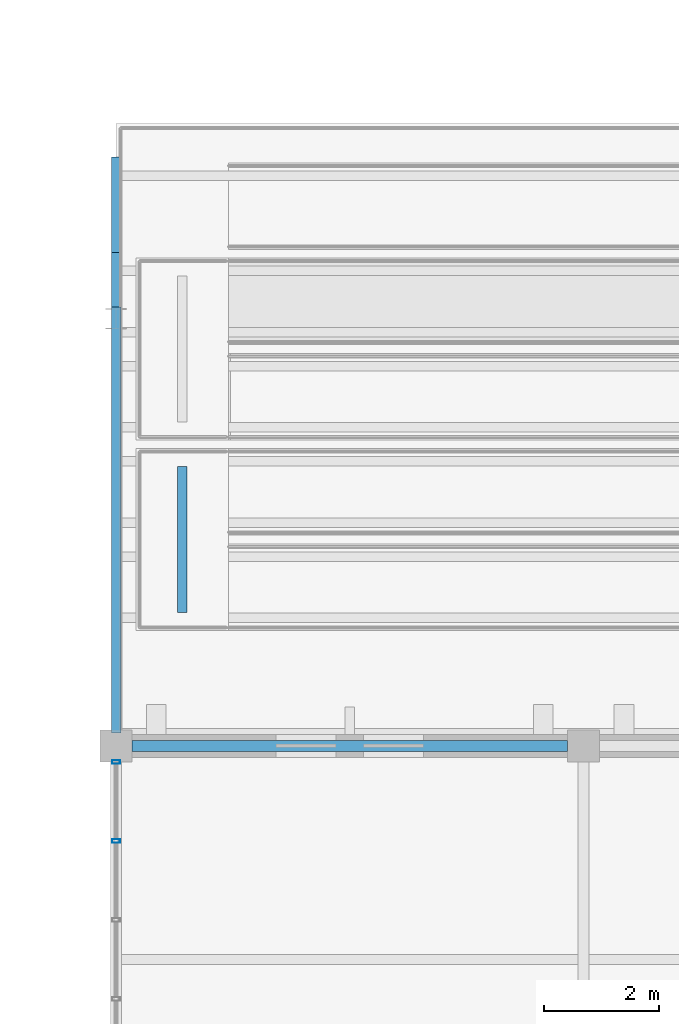
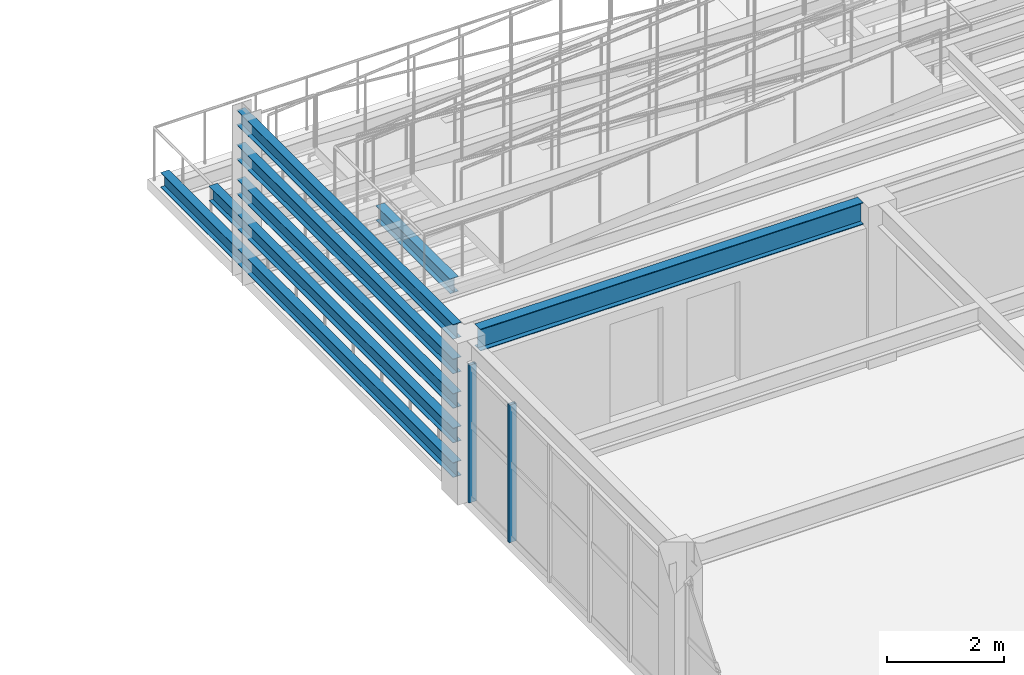
# One storey, part 89 of 121: 7 beams, 2 members, 1 element without a shape of its own.
"""IFC4 building model written with IfcOpenShell, lengths in metres."""

import ifcopenshell
import ifcopenshell.guid

model = None  # the IFC model being written
_history = None  # IfcOwnerHistory: only IFC2X3 demands one
_inside = {}  # id of a spatial element -> (the spatial element, [elements in it])
_under = {}  # id of a project, library or spatial element -> (it, [spatial elements below it])
_declared = {}  # id of a project -> (the project, [libraries it declares])
_typed = {}  # id of a type object -> (the type object, [elements of that type])
_made_of = {}  # id of a material, layer set ... -> (it, [elements and type objects made of it])


def new_model(schema):
    """Start an empty IFC model of exactly this schema.

    Asked for "IFC4X3", IfcOpenShell would pick the latest addendum, in which some entities
    have other attributes; the version numbers below select the first issue.
    IFC2X3 requires an IfcOwnerHistory on every rooted entity: one is made here for all.
    """
    global model, _history
    if schema == "IFC4X3":
        model = ifcopenshell.file(schema_version=(4, 3, 0, 0))
    else:
        model = ifcopenshell.file(schema=schema)
    _inside.clear()
    _under.clear()
    _declared.clear()
    _typed.clear()
    _made_of.clear()
    _history = None
    if model.schema == "IFC2X3":
        org = make("IfcOrganization", Name="unknown")
        user = make(
            "IfcPersonAndOrganization",
            ThePerson=make("IfcPerson", FamilyName="unknown"),
            TheOrganization=org,
        )
        app = make(
            "IfcApplication",
            ApplicationDeveloper=org,
            Version="unknown",
            ApplicationFullName="unknown",
            ApplicationIdentifier="unknown",
        )
        _history = make(
            "IfcOwnerHistory",
            OwningUser=user,
            OwningApplication=app,
            ChangeAction="ADDED",
            CreationDate=0,
        )
    return model


def make(cls, **values):
    """One entity of the class cls with the attributes given. An attribute that is None is left unset."""
    return model.create_entity(
        cls, **{name: value for name, value in values.items() if value is not None}
    )


def rooted(cls, **values):
    """An entity with a GlobalId (a new one), such as an element, a storey or a relation."""
    return make(cls, GlobalId=ifcopenshell.guid.new(), OwnerHistory=_history, **values)


def si_unit(unit_type, name, prefix=None):
    """IfcSIUnit, for example si_unit("LENGTHUNIT", "METRE", prefix="MILLI")."""
    return make("IfcSIUnit", UnitType=unit_type, Prefix=prefix, Name=name)


def assignment(units):
    """IfcUnitAssignment: the units of a project."""
    return None if units is None else make("IfcUnitAssignment", Units=units)


def point(xyz):
    """IfcCartesianPoint."""
    return None if xyz is None else make("IfcCartesianPoint", Coordinates=xyz)


def direction(xyz):
    """IfcDirection."""
    return None if xyz is None else make("IfcDirection", DirectionRatios=xyz)


def frame(location, z_axis=None, x_axis=None):
    """IfcAxis2Placement3D, a coordinate frame: its origin and axes. An axis left out is left unset."""
    return make(
        "IfcAxis2Placement3D",
        Location=point(location),
        Axis=direction(z_axis),
        RefDirection=direction(x_axis),
    )


def frame_2d(location, x_axis=None):
    """IfcAxis2Placement2D, a coordinate frame in the plane: its origin and x axis."""
    return make(
        "IfcAxis2Placement2D", Location=point(location), RefDirection=direction(x_axis)
    )


def origin():
    """The frame at (0, 0, 0) with its axes left unset."""
    return frame((0.0, 0.0, 0.0))


def origin_2d():
    """The frame at (0, 0) in the plane with its x axis left unset."""
    return frame_2d((0.0, 0.0))


def place(relative_to, where):
    """IfcLocalPlacement: puts the frame where relative to a parent placement (None: the world)."""
    return make(
        "IfcLocalPlacement", PlacementRelTo=relative_to, RelativePlacement=where
    )


def context(
    kind, dimensions, precision=None, world=None, true_north=None, identifier=None
):
    """IfcGeometricRepresentationContext, for example the 3D "Model" context."""
    return make(
        "IfcGeometricRepresentationContext",
        ContextIdentifier=identifier,
        ContextType=kind,
        CoordinateSpaceDimension=dimensions,
        Precision=precision,
        WorldCoordinateSystem=world,
        TrueNorth=true_north,
    )


def subcontext(parent, identifier, kind, view, scale=None):
    """IfcGeometricRepresentationSubContext, for example "Body" below "Model"."""
    return make(
        "IfcGeometricRepresentationSubContext",
        ContextIdentifier=identifier,
        ContextType=kind,
        ParentContext=parent,
        TargetScale=scale,
        TargetView=view,
    )


def project(units=None, contexts=None):
    """IfcProject with its units and contexts."""
    return rooted(
        "IfcProject",
        Name="project",
        RepresentationContexts=contexts,
        UnitsInContext=assignment(units),
    )


def spatial(cls, under=None, at=None, **own):
    """A site, building, storey or space (cls), placed at a placement, below another one or the project."""
    s = rooted(cls, ObjectPlacement=at, **own)
    if under is not None:
        _under.setdefault(under.id(), (under, []))[1].append(s)
    return s


def profile(cls, at=None, kind="AREA", **sizes):
    """A parametric profile (cls). Its sizes go by their IFC names, for example OverallWidth=200.0."""
    return make(cls, ProfileType=kind, Position=at, **sizes)


def hollow_rectangle(**sizes):
    """IfcRectangleHollowProfileDef."""
    return profile("IfcRectangleHollowProfileDef", **sizes)


def i_section(**sizes):
    """IfcIShapeProfileDef."""
    return profile("IfcIShapeProfileDef", **sizes)


def extrude(swept, where, along, depth):
    """IfcExtrudedAreaSolid: the profile swept, set in the frame where, extruded along a direction by depth."""
    return make(
        "IfcExtrudedAreaSolid",
        SweptArea=swept,
        Position=where,
        ExtrudedDirection=direction(along),
        Depth=depth,
    )


def shape(context_of_items, identifier, shape_type, items):
    """IfcShapeRepresentation: the items that make up one representation, for example the "Body"."""
    return make(
        "IfcShapeRepresentation",
        ContextOfItems=context_of_items,
        RepresentationIdentifier=identifier,
        RepresentationType=shape_type,
        Items=items,
    )


def material(Name=None, Category=None):
    """IfcMaterial."""
    return make("IfcMaterial", Name=Name, Category=Category)


def material_profile(
    of_material, cross_section, Name=None, Category=None, Priority=None
):
    """IfcMaterialProfile: a cross section and its material."""
    return make(
        "IfcMaterialProfile",
        Name=Name,
        Material=of_material,
        Profile=cross_section,
        Priority=Priority,
        Category=Category,
    )


def profile_set(profiles, Name=None, composite=None):
    """IfcMaterialProfileSet."""
    return make(
        "IfcMaterialProfileSet",
        Name=Name,
        MaterialProfiles=profiles,
        CompositeProfile=composite,
    )


def made_of(thing, what):
    """Note that an element or type object is made of a material, layer set ...; save() writes the relation."""
    if what is not None:
        _made_of.setdefault(what.id(), (what, []))[1].append(thing)
    return thing


def type_object(cls, material=None, **own):
    """A type object (cls), such as IfcWallType, which elements share."""
    return made_of(rooted(cls, **own), material)


def element(
    cls,
    number,
    at=None,
    inside=None,
    cuts=None,
    type_object=None,
    material=None,
    context=None,
    identifier="Body",
    shape_type=None,
    held_by="IfcProductDefinitionShape",
    body=None,
    shapes=None,
    **own,
):
    """One element of the class cls, such as IfcWall. Its Tag is "e" and its number.

    at: its placement. inside: the storey or other place that contains it. cuts: it is an
    opening in that element (IfcRelVoidsElement). A single representation is given by context,
    identifier, shape_type and body (its items); several are given by shapes. held_by: the class
    of the entity that holds the representations. save() writes the other relations.
    """
    e = rooted(cls, Tag="e%d" % number, ObjectPlacement=at, **own)
    if body is not None:
        shapes = [shape(context, identifier, shape_type, body)]
    if shapes is not None:
        e.Representation = make(held_by, Representations=shapes)
    if inside is not None:
        _inside.setdefault(inside.id(), (inside, []))[1].append(e)
    if cuts is not None:
        rooted(
            "IfcRelVoidsElement", RelatingBuildingElement=cuts, RelatedOpeningElement=e
        )
    if type_object is not None:
        _typed.setdefault(type_object.id(), (type_object, []))[1].append(e)
    return made_of(e, material)


def aggregate(whole, parts):
    """IfcRelAggregates: a whole, such as a stair, and the parts it consists of."""
    return rooted("IfcRelAggregates", RelatingObject=whole, RelatedObjects=parts)


def save(model, path):
    """Write the relations noted so far, then the file.

    IfcRelAggregates (storeys below a building ...), IfcRelContainedInSpatialStructure (elements
    in a storey), IfcRelDefinesByType, IfcRelAssociatesMaterial and IfcRelDeclares: one each for
    every whole, place, type object, material and project.
    """
    for whole, parts in _under.values():
        aggregate(whole, parts)
    for where, things in _inside.values():
        rooted(
            "IfcRelContainedInSpatialStructure",
            RelatedElements=things,
            RelatingStructure=where,
        )
    for kind, things in _typed.values():
        rooted("IfcRelDefinesByType", RelatedObjects=things, RelatingType=kind)
    for what, things in _made_of.values():
        rooted("IfcRelAssociatesMaterial", RelatedObjects=things, RelatingMaterial=what)
    for by, libraries in _declared.values():
        rooted("IfcRelDeclares", RelatingContext=by, RelatedDefinitions=libraries)
    model.write(path)


model = new_model("IFC4")

# Units and contexts
model_context = context("Model", 3, precision=1e-05, world=origin(), true_north=direction((0.0, 1.0)))
body_context = subcontext(model_context, "Body", "Model", "MODEL_VIEW")
ifc_project = project(units=[si_unit("LENGTHUNIT", "METRE"), si_unit("AREAUNIT", "SQUARE_METRE"), si_unit("VOLUMEUNIT", "CUBIC_METRE"), si_unit("PLANEANGLEUNIT", "RADIAN"), si_unit("MASSUNIT", "GRAM", prefix="KILO")], contexts=[model_context])

# Site, building, storey
site_placement = place(None, origin())
site = spatial("IfcSite", under=ifc_project, at=site_placement, CompositionType="ELEMENT")
building_placement = place(site_placement, origin())
building = spatial("IfcBuilding", under=site, at=building_placement, Name="Cimatlan Art Gallery", CompositionType="ELEMENT")
storey_placement = place(building_placement, frame((0.0, 0.0, 10.199951171875)))
storey = spatial("IfcBuildingStorey", under=building, at=storey_placement, Name="L02", CompositionType="ELEMENT", Elevation=10.199951171875)

# Beams
ifc_material_1 = material(Name="Steel ASTM A992 Grade 50", Category="steel")
ifc_material_profile_1 = material_profile(ifc_material_1, i_section(OverallWidth=0.1650390625, OverallDepth=0.31005859375, WebThickness=0.005859375, FlangeThickness=0.009765625, at=origin_2d()), Name="W12X26")
ifc_profile_set_1 = profile_set([ifc_material_profile_1], Name="Steel ASTM A992 Grade 50")
beam_type_1 = type_object("IfcBeamType", Name="BM-STL-W12X26", PredefinedType="JOIST", material=ifc_profile_set_1)
beam_1_placement = place(storey_placement, frame((147.800048828125, 68.52001953125, 0.364990234375), z_axis=(0.0, 1.0, 0.0), x_axis=(-1.0, 0.0, 0.0)))
element("IfcBeam", 1, at=beam_1_placement, inside=storey, type_object=beam_type_1, Name="BM-RMP-TER-B5-L1-NSW", PredefinedType="JOIST", context=body_context, shape_type="SweptSolid", body=[
    extrude(i_section(OverallWidth=0.1650390625, OverallDepth=0.31005859375, WebThickness=0.005859375, FlangeThickness=0.009765625, at=origin_2d()), origin(), (0.0, 0.0, 1.0), 9.97998046875),
])
beam_2_placement = place(storey_placement, frame((147.800048828125, 68.52001953125, 1.0849609375), z_axis=(0.0, 1.0, 0.0), x_axis=(-1.0, 0.0, 0.0)))
element("IfcBeam", 2, at=beam_2_placement, inside=storey, type_object=beam_type_1, Name="BM-RMP-TER-B5-L2-NSW", PredefinedType="JOIST", context=body_context, shape_type="SweptSolid", body=[
    extrude(i_section(OverallWidth=0.1650390625, OverallDepth=0.31005859375, WebThickness=0.005859375, FlangeThickness=0.009765625, at=origin_2d()), origin(), (0.0, 0.0, 1.0), 8.330078125),
])
for number, where, z_axis, x_axis, name in (
    (3, (147.800048828125, 68.52001953125, 1.804931640625), (0.0, 1.0, 0.0), (-1.0, 0.0, 0.0), "BM-RMP-TER-B5-L3-NSW"),
    (4, (147.800048828125, 68.52001953125, 2.525146484375), (0.0, 1.0, 0.0), (-1.0, 0.0, 0.0), "BM-RMP-TER-B5-L4-NSW"),
):
    element("IfcBeam", number, at=place(storey_placement, frame(where, z_axis=z_axis, x_axis=x_axis)), inside=storey, type_object=beam_type_1, Name=name, PredefinedType="JOIST", context=body_context, shape_type="SweptSolid", body=[
        extrude(i_section(OverallWidth=0.1650390625, OverallDepth=0.31005859375, WebThickness=0.005859375, FlangeThickness=0.009765625, at=origin_2d()), origin(), (0.0, 0.0, 1.0), 7.3798828125),
    ])
beam_3_placement = place(storey_placement, frame((148.949951171875, 70.610107421875, 2.525146484375), z_axis=(0.0, 1.0, 0.0), x_axis=(-1.0, 0.0, 0.0)))
element("IfcBeam", 5, at=beam_3_placement, inside=storey, type_object=beam_type_1, Name="BM-RMP-TER-B5-L4-X1", PredefinedType="JOIST", context=body_context, shape_type="SweptSolid", body=[
    extrude(i_section(OverallWidth=0.1650390625, OverallDepth=0.31005859375, WebThickness=0.005859375, FlangeThickness=0.009765625, at=origin_2d()), origin(), (0.0, 0.0, 1.0), 2.52978515625),
])
beam_4_placement = place(storey_placement, frame((147.800048828125, 68.52001953125, 3.2451171875), z_axis=(0.0, 1.0, 0.0), x_axis=(-1.0, 0.0, 0.0)))
element("IfcBeam", 6, at=beam_4_placement, inside=storey, type_object=beam_type_1, Name="BM-RMP-TER-B5-L5-NSW", PredefinedType="JOIST", context=body_context, shape_type="SweptSolid", body=[
    extrude(i_section(OverallWidth=0.1650390625, OverallDepth=0.31005859375, WebThickness=0.005859375, FlangeThickness=0.009765625, at=origin_2d()), origin(), (0.0, 0.0, 1.0), 7.3798828125),
])
ifc_material_profile_2 = material_profile(ifc_material_1, i_section(OverallWidth=0.19091796875, OverallDepth=0.45703125, WebThickness=0.009033203125, FlangeThickness=0.014404296875, at=origin_2d()), Name="W18X50")
ifc_profile_set_2 = profile_set([ifc_material_profile_2], Name="Steel ASTM A992 Grade 50")
beam_type_2 = type_object("IfcBeamType", Name="BM-STL-W18X50", PredefinedType="BEAM", material=ifc_profile_set_2)
beam_5_placement = place(storey_placement, frame((148.074951171875, 68.300048828125, 3.1416015625), z_axis=(1.0, 0.0, 0.0), x_axis=(0.0, 1.0, 0.0)))
element("IfcBeam", 7, at=beam_5_placement, inside=storey, type_object=beam_type_2, Name="BM-X-L02-18-09", PredefinedType="BEAM", context=body_context, shape_type="SweptSolid", body=[
    extrude(i_section(OverallWidth=0.19091796875, OverallDepth=0.45703125, WebThickness=0.009033203125, FlangeThickness=0.014404296875, at=origin_2d()), origin(), (0.0, 0.0, 1.0), 7.550048828125),
])

# Curtain wall, members
ifc_material_2 = material(Name="Anodised bronze unitised curtain wall")
curtain_wall_type = type_object("IfcCurtainWallType", Name="CW-V-06842X02868-B5", PredefinedType="NOTDEFINED", material=ifc_material_2)
curtain_wall_placement = place(storey_placement, origin())
curtain_wall = element("IfcCurtainWall", 8, at=curtain_wall_placement, inside=storey, type_object=curtain_wall_type, Name="CW-L02-18-08-W", PredefinedType="NOTDEFINED")
ifc_material_3 = material(Name="Anodised bronze aluminium 6063-T6", Category="aluminium")
ifc_material_profile_3 = material_profile(ifc_material_3, hollow_rectangle(XDim=0.06494140625, YDim=0.139892578125, WallThickness=0.00390625, at=origin_2d()), Name="ALU65X140X4")
ifc_profile_set_3 = profile_set([ifc_material_profile_3], Name="Anodised bronze aluminium 6063-T6")
member_type = type_object("IfcMemberType", Name="CW-MUL-140", PredefinedType="MULLION", material=ifc_profile_set_3)
member_1_placement = place(storey_placement, frame((147.800048828125, 66.652587890625, 0.0), z_axis=(0.0, 0.0, 1.0), x_axis=(0.0, 1.0, 0.0)))
member_1 = element("IfcMember", 9, at=member_1_placement, type_object=member_type, Name="CW-L02-18-08-W-M5", PredefinedType="MULLION", context=body_context, shape_type="SweptSolid", body=[
    extrude(hollow_rectangle(XDim=0.06494140625, YDim=0.139892578125, WallThickness=0.00390625, at=origin_2d()), origin(), (0.0, 0.0, 1.0), 2.8681640625),
])
member_2_placement = place(storey_placement, frame((147.800048828125, 68.02099609375, 0.0), z_axis=(0.0, 0.0, 1.0), x_axis=(0.0, 1.0, 0.0)))
member_2 = element("IfcMember", 10, at=member_2_placement, type_object=member_type, Name="CW-L02-18-08-W-M6", PredefinedType="MULLION", context=body_context, shape_type="SweptSolid", body=[
    extrude(hollow_rectangle(XDim=0.06494140625, YDim=0.139892578125, WallThickness=0.00390625, at=origin_2d()), origin(), (0.0, 0.0, 1.0), 2.8681640625),
])
aggregate(curtain_wall, [member_1, member_2])

save(model, "model.ifc")
